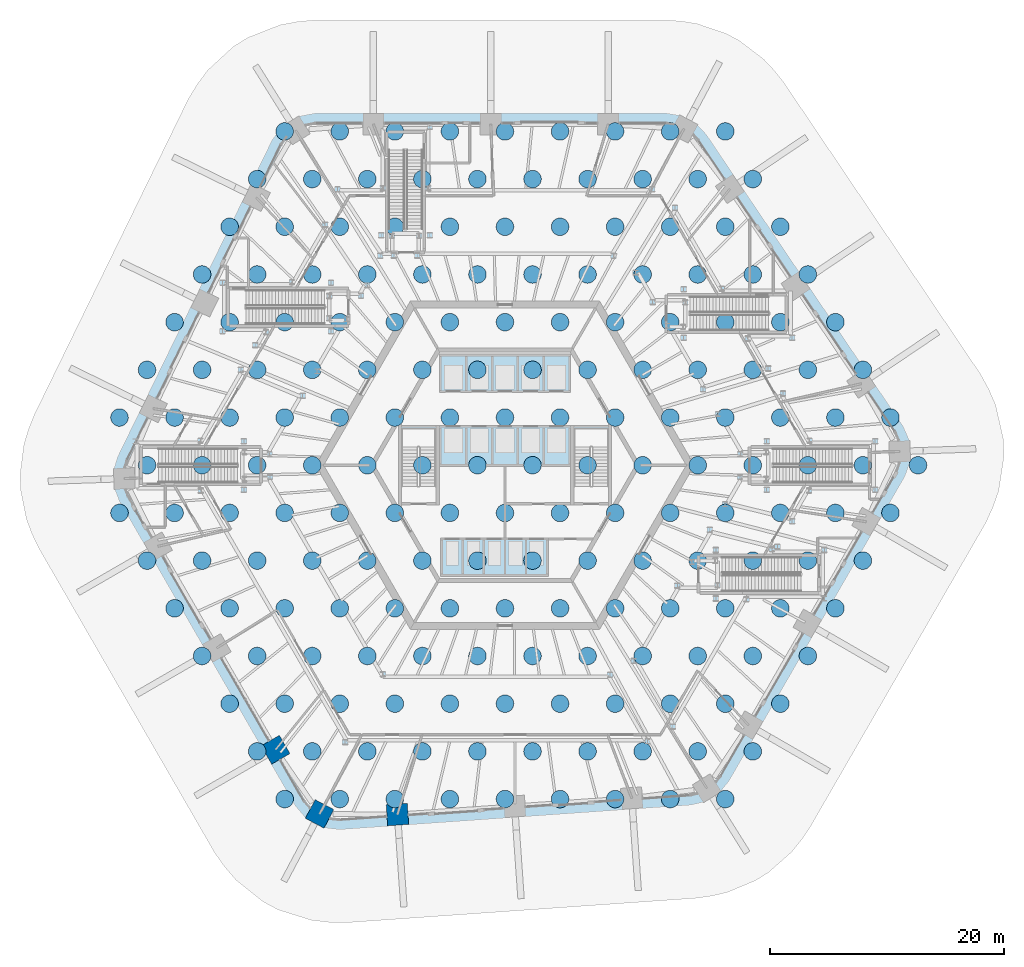
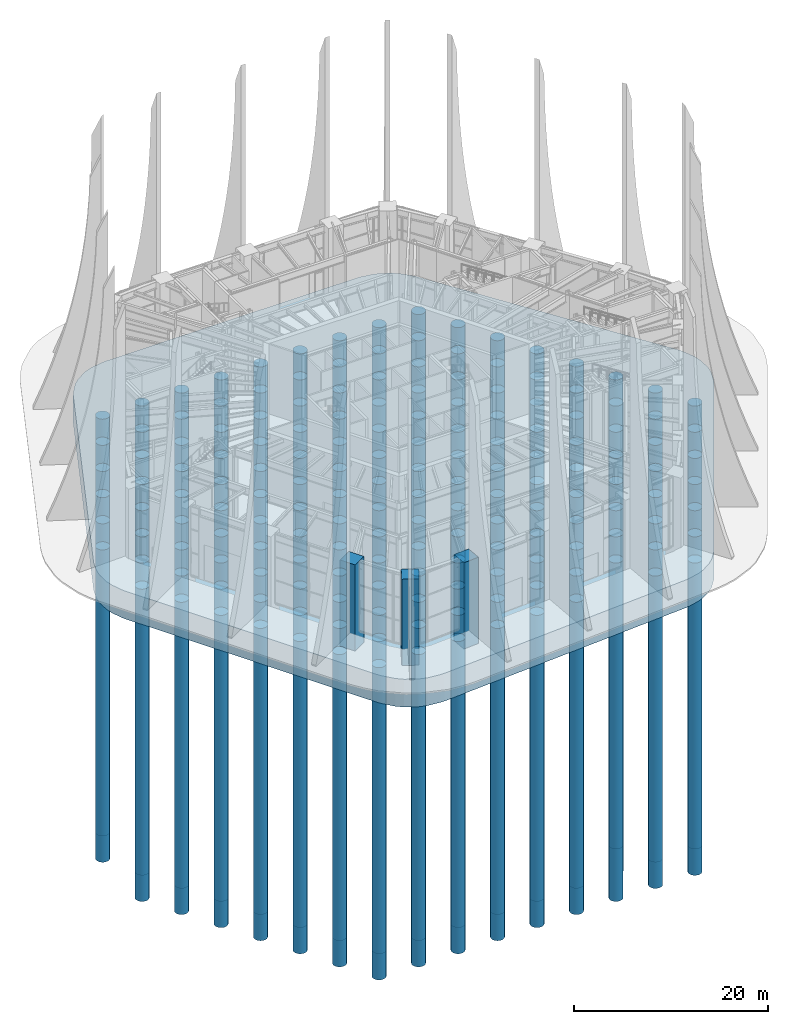
# One storey, part 1 of 43: 183 piles, 3 columns, 1 footing.
"""IFC4 building model written with IfcOpenShell, lengths in metres."""

from ifc_helpers import new_model, si_unit, direction, frame, origin, origin_2d, place, context, subcontext, project, spatial, polyline, rectangle, circle, outline, extrude, material, layer, layer_set, material_profile, profile_set, type_object, element, save


model = new_model("IFC4")

# Units and contexts
model_context = context("Model", 3, precision=1e-05, world=origin(), true_north=direction((0.0, 1.0)))
body_context = subcontext(model_context, "Body", "Model", "MODEL_VIEW")
ifc_project = project(units=[si_unit("LENGTHUNIT", "METRE"), si_unit("AREAUNIT", "SQUARE_METRE"), si_unit("VOLUMEUNIT", "CUBIC_METRE"), si_unit("PLANEANGLEUNIT", "RADIAN"), si_unit("MASSUNIT", "GRAM", prefix="KILO")], contexts=[model_context])

# Site, building, storey
site_placement = place(None, origin())
site = spatial("IfcSite", under=ifc_project, at=site_placement, CompositionType="ELEMENT")
building_placement = place(site_placement, origin())
building = spatial("IfcBuilding", under=site, at=building_placement, Name="Tarnside Tower", CompositionType="ELEMENT")
storey_placement = place(building_placement, origin())
storey = spatial("IfcBuildingStorey", under=building, at=storey_placement, Name="L00", CompositionType="ELEMENT", Elevation=0.0)

# Piles
ifc_material_1 = material(Name="Concrete C35/45", Category="concrete")
ifc_material_profile_1 = material_profile(ifc_material_1, circle(Radius=0.75, at=origin_2d()), Name="Bored pile D1500")
ifc_profile_set_1 = profile_set([ifc_material_profile_1], Name="Concrete C35/45")
pile_type = type_object("IfcPileType", Name="Bored pile D1500", PredefinedType="BORED", material=ifc_profile_set_1)
for number, where, z_axis, x_axis, name in (
    (1, (-18.800048828125, -28.491943359375, -5.52490234375), (0.0, 0.0, -1.0), (1.0, 0.0, 0.0), "Bored pile P001"),
    (2, (-14.10009765625, -28.491943359375, -5.52490234375), (0.0, 0.0, -1.0), (1.0, 0.0, 0.0), "Bored pile P002"),
    (3, (-9.39990234375, -28.491943359375, -5.52490234375), (0.0, 0.0, -1.0), (1.0, 0.0, 0.0), "Bored pile P003"),
    (4, (-4.699951171875, -28.491943359375, -5.52490234375), (0.0, 0.0, -1.0), (1.0, 0.0, 0.0), "Bored pile P004"),
    (5, (0.0, -28.491943359375, -5.52490234375), (0.0, 0.0, -1.0), (1.0, 0.0, 0.0), "Bored pile P005"),
    (6, (4.699951171875, -28.491943359375, -5.52490234375), (0.0, 0.0, -1.0), (1.0, 0.0, 0.0), "Bored pile P006"),
    (7, (9.39990234375, -28.491943359375, -5.52490234375), (0.0, 0.0, -1.0), (1.0, 0.0, 0.0), "Bored pile P007"),
    (8, (14.10009765625, -28.491943359375, -5.52490234375), (0.0, 0.0, -1.0), (1.0, 0.0, 0.0), "Bored pile P008"),
    (9, (18.800048828125, -28.491943359375, -5.52490234375), (0.0, 0.0, -1.0), (1.0, 0.0, 0.0), "Bored pile P009"),
    (10, (-21.14990234375, -24.422119140625, -5.52490234375), (0.0, 0.0, -1.0), (1.0, 0.0, 0.0), "Bored pile P010"),
    (11, (-16.449951171875, -24.422119140625, -5.52490234375), (0.0, 0.0, -1.0), (1.0, 0.0, 0.0), "Bored pile P011"),
    (12, (-11.75, -24.422119140625, -5.52490234375), (0.0, 0.0, -1.0), (1.0, 0.0, 0.0), "Bored pile P012"),
    (13, (-7.050048828125, -24.422119140625, -5.52490234375), (0.0, 0.0, -1.0), (1.0, 0.0, 0.0), "Bored pile P013"),
    (14, (-2.35009765625, -24.422119140625, -5.52490234375), (0.0, 0.0, -1.0), (1.0, 0.0, 0.0), "Bored pile P014"),
    (15, (2.35009765625, -24.422119140625, -5.52490234375), (0.0, 0.0, -1.0), (1.0, 0.0, 0.0), "Bored pile P015"),
    (16, (7.050048828125, -24.422119140625, -5.52490234375), (0.0, 0.0, -1.0), (1.0, 0.0, 0.0), "Bored pile P016"),
    (17, (11.75, -24.422119140625, -5.52490234375), (0.0, 0.0, -1.0), (1.0, 0.0, 0.0), "Bored pile P017"),
    (18, (16.449951171875, -24.422119140625, -5.52490234375), (0.0, 0.0, -1.0), (1.0, 0.0, 0.0), "Bored pile P018"),
    (19, (21.14990234375, -24.422119140625, -5.52490234375), (0.0, 0.0, -1.0), (1.0, 0.0, 0.0), "Bored pile P019"),
    (20, (-23.5, -20.35205078125, -5.52490234375), (0.0, 0.0, -1.0), (1.0, 0.0, 0.0), "Bored pile P020"),
    (21, (-18.800048828125, -20.35205078125, -5.52490234375), (0.0, 0.0, -1.0), (1.0, 0.0, 0.0), "Bored pile P021"),
    (22, (-14.10009765625, -20.35205078125, -5.52490234375), (0.0, 0.0, -1.0), (1.0, 0.0, 0.0), "Bored pile P022"),
    (23, (-9.39990234375, -20.35205078125, -5.52490234375), (0.0, 0.0, -1.0), (1.0, 0.0, 0.0), "Bored pile P023"),
    (24, (-4.699951171875, -20.35205078125, -5.52490234375), (0.0, 0.0, -1.0), (1.0, 0.0, 0.0), "Bored pile P024"),
    (25, (0.0, -20.35205078125, -5.52490234375), (0.0, 0.0, -1.0), (1.0, 0.0, 0.0), "Bored pile P025"),
    (26, (4.699951171875, -20.35205078125, -5.52490234375), (0.0, 0.0, -1.0), (1.0, 0.0, 0.0), "Bored pile P026"),
    (27, (9.39990234375, -20.35205078125, -5.52490234375), (0.0, 0.0, -1.0), (1.0, 0.0, 0.0), "Bored pile P027"),
    (28, (14.10009765625, -20.35205078125, -5.52490234375), (0.0, 0.0, -1.0), (1.0, 0.0, 0.0), "Bored pile P028"),
    (29, (18.800048828125, -20.35205078125, -5.52490234375), (0.0, 0.0, -1.0), (1.0, 0.0, 0.0), "Bored pile P029"),
    (30, (23.5, -20.35205078125, -5.52490234375), (0.0, 0.0, -1.0), (1.0, 0.0, 0.0), "Bored pile P030"),
    (31, (-25.85009765625, -16.281005859375, -5.52490234375), (0.0, 0.0, -1.0), (1.0, 0.0, 0.0), "Bored pile P031"),
    (32, (-21.14990234375, -16.281005859375, -5.52490234375), (0.0, 0.0, -1.0), (1.0, 0.0, 0.0), "Bored pile P032"),
    (33, (-16.449951171875, -16.281005859375, -5.52490234375), (0.0, 0.0, -1.0), (1.0, 0.0, 0.0), "Bored pile P033"),
    (34, (-11.75, -16.281005859375, -5.52490234375), (0.0, 0.0, -1.0), (1.0, 0.0, 0.0), "Bored pile P034"),
    (35, (-7.050048828125, -16.281005859375, -5.52490234375), (0.0, 0.0, -1.0), (1.0, 0.0, 0.0), "Bored pile P035"),
    (36, (-2.35009765625, -16.281005859375, -5.52490234375), (0.0, 0.0, -1.0), (1.0, 0.0, 0.0), "Bored pile P036"),
    (37, (2.35009765625, -16.281005859375, -5.52490234375), (0.0, 0.0, -1.0), (1.0, 0.0, 0.0), "Bored pile P037"),
    (38, (7.050048828125, -16.281005859375, -5.52490234375), (0.0, 0.0, -1.0), (1.0, 0.0, 0.0), "Bored pile P038"),
    (39, (11.75, -16.281005859375, -5.52490234375), (0.0, 0.0, -1.0), (1.0, 0.0, 0.0), "Bored pile P039"),
    (40, (16.449951171875, -16.281005859375, -5.52490234375), (0.0, 0.0, -1.0), (1.0, 0.0, 0.0), "Bored pile P040"),
    (41, (21.14990234375, -16.281005859375, -5.52490234375), (0.0, 0.0, -1.0), (1.0, 0.0, 0.0), "Bored pile P041"),
    (42, (25.85009765625, -16.281005859375, -5.52490234375), (0.0, 0.0, -1.0), (1.0, 0.0, 0.0), "Bored pile P042"),
    (43, (-28.199951171875, -12.2109375, -5.52490234375), (0.0, 0.0, -1.0), (1.0, 0.0, 0.0), "Bored pile P043"),
    (44, (-23.5, -12.2109375, -5.52490234375), (0.0, 0.0, -1.0), (1.0, 0.0, 0.0), "Bored pile P044"),
    (45, (-18.800048828125, -12.2109375, -5.52490234375), (0.0, 0.0, -1.0), (1.0, 0.0, 0.0), "Bored pile P045"),
    (46, (-14.10009765625, -12.2109375, -5.52490234375), (0.0, 0.0, -1.0), (1.0, 0.0, 0.0), "Bored pile P046"),
    (47, (-9.39990234375, -12.2109375, -5.52490234375), (0.0, 0.0, -1.0), (1.0, 0.0, 0.0), "Bored pile P047"),
    (48, (-4.699951171875, -12.2109375, -5.52490234375), (0.0, 0.0, -1.0), (1.0, 0.0, 0.0), "Bored pile P048"),
    (49, (0.0, -12.2109375, -5.52490234375), (0.0, 0.0, -1.0), (1.0, 0.0, 0.0), "Bored pile P049"),
    (50, (4.699951171875, -12.2109375, -5.52490234375), (0.0, 0.0, -1.0), (1.0, 0.0, 0.0), "Bored pile P050"),
    (51, (9.39990234375, -12.2109375, -5.52490234375), (0.0, 0.0, -1.0), (1.0, 0.0, 0.0), "Bored pile P051"),
    (52, (14.10009765625, -12.2109375, -5.52490234375), (0.0, 0.0, -1.0), (1.0, 0.0, 0.0), "Bored pile P052"),
    (53, (18.800048828125, -12.2109375, -5.52490234375), (0.0, 0.0, -1.0), (1.0, 0.0, 0.0), "Bored pile P053"),
    (54, (23.5, -12.2109375, -5.52490234375), (0.0, 0.0, -1.0), (1.0, 0.0, 0.0), "Bored pile P054"),
    (55, (28.199951171875, -12.2109375, -5.52490234375), (0.0, 0.0, -1.0), (1.0, 0.0, 0.0), "Bored pile P055"),
    (56, (-30.550048828125, -8.14111328125, -5.52490234375), (0.0, 0.0, -1.0), (1.0, 0.0, 0.0), "Bored pile P056"),
    (57, (-25.85009765625, -8.14111328125, -5.52490234375), (0.0, 0.0, -1.0), (1.0, 0.0, 0.0), "Bored pile P057"),
    (58, (-21.14990234375, -8.14111328125, -5.52490234375), (0.0, 0.0, -1.0), (1.0, 0.0, 0.0), "Bored pile P058"),
    (59, (-16.449951171875, -8.14111328125, -5.52490234375), (0.0, 0.0, -1.0), (1.0, 0.0, 0.0), "Bored pile P059"),
    (60, (-11.75, -8.14111328125, -5.52490234375), (0.0, 0.0, -1.0), (1.0, 0.0, 0.0), "Bored pile P060"),
    (61, (-7.050048828125, -8.14111328125, -5.52490234375), (0.0, 0.0, -1.0), (1.0, 0.0, 0.0), "Bored pile P061"),
    (62, (-2.35009765625, -8.14111328125, -5.52490234375), (0.0, 0.0, -1.0), (1.0, 0.0, 0.0), "Bored pile P062"),
    (63, (2.35009765625, -8.14111328125, -5.52490234375), (0.0, 0.0, -1.0), (1.0, 0.0, 0.0), "Bored pile P063"),
    (64, (7.050048828125, -8.14111328125, -5.52490234375), (0.0, 0.0, -1.0), (1.0, 0.0, 0.0), "Bored pile P064"),
    (65, (11.75, -8.14111328125, -5.52490234375), (0.0, 0.0, -1.0), (1.0, 0.0, 0.0), "Bored pile P065"),
    (66, (16.449951171875, -8.14111328125, -5.52490234375), (0.0, 0.0, -1.0), (1.0, 0.0, 0.0), "Bored pile P066"),
    (67, (21.14990234375, -8.14111328125, -5.52490234375), (0.0, 0.0, -1.0), (1.0, 0.0, 0.0), "Bored pile P067"),
    (68, (25.85009765625, -8.14111328125, -5.52490234375), (0.0, 0.0, -1.0), (1.0, 0.0, 0.0), "Bored pile P068"),
    (69, (30.550048828125, -8.14111328125, -5.52490234375), (0.0, 0.0, -1.0), (1.0, 0.0, 0.0), "Bored pile P069"),
    (70, (-32.89990234375, -4.070068359375, -5.52490234375), (0.0, 0.0, -1.0), (1.0, 0.0, 0.0), "Bored pile P070"),
    (71, (-28.199951171875, -4.070068359375, -5.52490234375), (0.0, 0.0, -1.0), (1.0, 0.0, 0.0), "Bored pile P071"),
    (72, (-23.5, -4.070068359375, -5.52490234375), (0.0, 0.0, -1.0), (1.0, 0.0, 0.0), "Bored pile P072"),
    (73, (-18.800048828125, -4.070068359375, -5.52490234375), (0.0, 0.0, -1.0), (1.0, 0.0, 0.0), "Bored pile P073"),
    (74, (-14.10009765625, -4.070068359375, -5.52490234375), (0.0, 0.0, -1.0), (1.0, 0.0, 0.0), "Bored pile P074"),
    (75, (-9.39990234375, -4.070068359375, -5.52490234375), (0.0, 0.0, -1.0), (1.0, 0.0, 0.0), "Bored pile P075"),
    (76, (-4.699951171875, -4.070068359375, -5.52490234375), (0.0, 0.0, -1.0), (1.0, 0.0, 0.0), "Bored pile P076"),
    (77, (0.0, -4.070068359375, -5.52490234375), (0.0, 0.0, -1.0), (1.0, 0.0, 0.0), "Bored pile P077"),
    (78, (4.699951171875, -4.070068359375, -5.52490234375), (0.0, 0.0, -1.0), (1.0, 0.0, 0.0), "Bored pile P078"),
    (79, (9.39990234375, -4.070068359375, -5.52490234375), (0.0, 0.0, -1.0), (1.0, 0.0, 0.0), "Bored pile P079"),
    (80, (14.10009765625, -4.070068359375, -5.52490234375), (0.0, 0.0, -1.0), (1.0, 0.0, 0.0), "Bored pile P080"),
    (81, (18.800048828125, -4.070068359375, -5.52490234375), (0.0, 0.0, -1.0), (1.0, 0.0, 0.0), "Bored pile P081"),
    (82, (23.5, -4.070068359375, -5.52490234375), (0.0, 0.0, -1.0), (1.0, 0.0, 0.0), "Bored pile P082"),
    (83, (28.199951171875, -4.070068359375, -5.52490234375), (0.0, 0.0, -1.0), (1.0, 0.0, 0.0), "Bored pile P083"),
    (84, (32.89990234375, -4.070068359375, -5.52490234375), (0.0, 0.0, -1.0), (1.0, 0.0, 0.0), "Bored pile P084"),
    (85, (-30.550048828125, 0.0, -5.52490234375), (0.0, 0.0, -1.0), (1.0, 0.0, 0.0), "Bored pile P085"),
    (86, (-25.85009765625, 0.0, -5.52490234375), (0.0, 0.0, -1.0), (1.0, 0.0, 0.0), "Bored pile P086"),
    (87, (-21.14990234375, 0.0, -5.52490234375), (0.0, 0.0, -1.0), (1.0, 0.0, 0.0), "Bored pile P087"),
    (88, (-16.449951171875, 0.0, -5.52490234375), (0.0, 0.0, -1.0), (1.0, 0.0, 0.0), "Bored pile P088"),
    (89, (-11.75, 0.0, -5.52490234375), (0.0, 0.0, -1.0), (1.0, 0.0, 0.0), "Bored pile P089"),
    (90, (-7.050048828125, 0.0, -5.52490234375), (0.0, 0.0, -1.0), (1.0, 0.0, 0.0), "Bored pile P090"),
    (91, (-2.35009765625, 0.0, -5.52490234375), (0.0, 0.0, -1.0), (1.0, 0.0, 0.0), "Bored pile P091"),
    (92, (2.35009765625, 0.0, -5.52490234375), (0.0, 0.0, -1.0), (1.0, 0.0, 0.0), "Bored pile P092"),
    (93, (7.050048828125, 0.0, -5.52490234375), (0.0, 0.0, -1.0), (1.0, 0.0, 0.0), "Bored pile P093"),
    (94, (11.75, 0.0, -5.52490234375), (0.0, 0.0, -1.0), (1.0, 0.0, 0.0), "Bored pile P094"),
    (95, (16.449951171875, 0.0, -5.52490234375), (0.0, 0.0, -1.0), (1.0, 0.0, 0.0), "Bored pile P095"),
    (96, (21.14990234375, 0.0, -5.52490234375), (0.0, 0.0, -1.0), (1.0, 0.0, 0.0), "Bored pile P096"),
    (97, (25.85009765625, 0.0, -5.52490234375), (0.0, 0.0, -1.0), (1.0, 0.0, 0.0), "Bored pile P097"),
    (98, (30.550048828125, 0.0, -5.52490234375), (0.0, 0.0, -1.0), (1.0, 0.0, 0.0), "Bored pile P098"),
    (99, (35.25, 0.0, -5.52490234375), (0.0, 0.0, -1.0), (1.0, 0.0, 0.0), "Bored pile P099"),
    (100, (-32.89990234375, 4.070068359375, -5.52490234375), (0.0, 0.0, -1.0), (1.0, 0.0, 0.0), "Bored pile P100"),
    (101, (-28.199951171875, 4.070068359375, -5.52490234375), (0.0, 0.0, -1.0), (1.0, 0.0, 0.0), "Bored pile P101"),
    (102, (-23.5, 4.070068359375, -5.52490234375), (0.0, 0.0, -1.0), (1.0, 0.0, 0.0), "Bored pile P102"),
    (103, (-18.800048828125, 4.070068359375, -5.52490234375), (0.0, 0.0, -1.0), (1.0, 0.0, 0.0), "Bored pile P103"),
    (104, (-14.10009765625, 4.070068359375, -5.52490234375), (0.0, 0.0, -1.0), (1.0, 0.0, 0.0), "Bored pile P104"),
    (105, (-9.39990234375, 4.070068359375, -5.52490234375), (0.0, 0.0, -1.0), (1.0, 0.0, 0.0), "Bored pile P105"),
    (106, (-4.699951171875, 4.070068359375, -5.52490234375), (0.0, 0.0, -1.0), (1.0, 0.0, 0.0), "Bored pile P106"),
    (107, (0.0, 4.070068359375, -5.52490234375), (0.0, 0.0, -1.0), (1.0, 0.0, 0.0), "Bored pile P107"),
    (108, (4.699951171875, 4.070068359375, -5.52490234375), (0.0, 0.0, -1.0), (1.0, 0.0, 0.0), "Bored pile P108"),
    (109, (9.39990234375, 4.070068359375, -5.52490234375), (0.0, 0.0, -1.0), (1.0, 0.0, 0.0), "Bored pile P109"),
    (110, (14.10009765625, 4.070068359375, -5.52490234375), (0.0, 0.0, -1.0), (1.0, 0.0, 0.0), "Bored pile P110"),
    (111, (18.800048828125, 4.070068359375, -5.52490234375), (0.0, 0.0, -1.0), (1.0, 0.0, 0.0), "Bored pile P111"),
    (112, (23.5, 4.070068359375, -5.52490234375), (0.0, 0.0, -1.0), (1.0, 0.0, 0.0), "Bored pile P112"),
    (113, (28.199951171875, 4.070068359375, -5.52490234375), (0.0, 0.0, -1.0), (1.0, 0.0, 0.0), "Bored pile P113"),
    (114, (32.89990234375, 4.070068359375, -5.52490234375), (0.0, 0.0, -1.0), (1.0, 0.0, 0.0), "Bored pile P114"),
    (115, (-30.550048828125, 8.14111328125, -5.52490234375), (0.0, 0.0, -1.0), (1.0, 0.0, 0.0), "Bored pile P115"),
    (116, (-25.85009765625, 8.14111328125, -5.52490234375), (0.0, 0.0, -1.0), (1.0, 0.0, 0.0), "Bored pile P116"),
    (117, (-21.14990234375, 8.14111328125, -5.52490234375), (0.0, 0.0, -1.0), (1.0, 0.0, 0.0), "Bored pile P117"),
    (118, (-16.449951171875, 8.14111328125, -5.52490234375), (0.0, 0.0, -1.0), (1.0, 0.0, 0.0), "Bored pile P118"),
    (119, (-11.75, 8.14111328125, -5.52490234375), (0.0, 0.0, -1.0), (1.0, 0.0, 0.0), "Bored pile P119"),
    (120, (-7.050048828125, 8.14111328125, -5.52490234375), (0.0, 0.0, -1.0), (1.0, 0.0, 0.0), "Bored pile P120"),
    (121, (-2.35009765625, 8.14111328125, -5.52490234375), (0.0, 0.0, -1.0), (1.0, 0.0, 0.0), "Bored pile P121"),
    (122, (2.35009765625, 8.14111328125, -5.52490234375), (0.0, 0.0, -1.0), (1.0, 0.0, 0.0), "Bored pile P122"),
    (123, (7.050048828125, 8.14111328125, -5.52490234375), (0.0, 0.0, -1.0), (1.0, 0.0, 0.0), "Bored pile P123"),
    (124, (11.75, 8.14111328125, -5.52490234375), (0.0, 0.0, -1.0), (1.0, 0.0, 0.0), "Bored pile P124"),
    (125, (16.449951171875, 8.14111328125, -5.52490234375), (0.0, 0.0, -1.0), (1.0, 0.0, 0.0), "Bored pile P125"),
    (126, (21.14990234375, 8.14111328125, -5.52490234375), (0.0, 0.0, -1.0), (1.0, 0.0, 0.0), "Bored pile P126"),
    (127, (25.85009765625, 8.14111328125, -5.52490234375), (0.0, 0.0, -1.0), (1.0, 0.0, 0.0), "Bored pile P127"),
    (128, (30.550048828125, 8.14111328125, -5.52490234375), (0.0, 0.0, -1.0), (1.0, 0.0, 0.0), "Bored pile P128"),
    (129, (-28.199951171875, 12.2109375, -5.52490234375), (0.0, 0.0, -1.0), (1.0, 0.0, 0.0), "Bored pile P129"),
    (130, (-23.5, 12.2109375, -5.52490234375), (0.0, 0.0, -1.0), (1.0, 0.0, 0.0), "Bored pile P130"),
    (131, (-18.800048828125, 12.2109375, -5.52490234375), (0.0, 0.0, -1.0), (1.0, 0.0, 0.0), "Bored pile P131"),
    (132, (-14.10009765625, 12.2109375, -5.52490234375), (0.0, 0.0, -1.0), (1.0, 0.0, 0.0), "Bored pile P132"),
    (133, (-9.39990234375, 12.2109375, -5.52490234375), (0.0, 0.0, -1.0), (1.0, 0.0, 0.0), "Bored pile P133"),
    (134, (-4.699951171875, 12.2109375, -5.52490234375), (0.0, 0.0, -1.0), (1.0, 0.0, 0.0), "Bored pile P134"),
    (135, (0.0, 12.2109375, -5.52490234375), (0.0, 0.0, -1.0), (1.0, 0.0, 0.0), "Bored pile P135"),
    (136, (4.699951171875, 12.2109375, -5.52490234375), (0.0, 0.0, -1.0), (1.0, 0.0, 0.0), "Bored pile P136"),
    (137, (9.39990234375, 12.2109375, -5.52490234375), (0.0, 0.0, -1.0), (1.0, 0.0, 0.0), "Bored pile P137"),
    (138, (14.10009765625, 12.2109375, -5.52490234375), (0.0, 0.0, -1.0), (1.0, 0.0, 0.0), "Bored pile P138"),
    (139, (18.800048828125, 12.2109375, -5.52490234375), (0.0, 0.0, -1.0), (1.0, 0.0, 0.0), "Bored pile P139"),
    (140, (23.5, 12.2109375, -5.52490234375), (0.0, 0.0, -1.0), (1.0, 0.0, 0.0), "Bored pile P140"),
    (141, (28.199951171875, 12.2109375, -5.52490234375), (0.0, 0.0, -1.0), (1.0, 0.0, 0.0), "Bored pile P141"),
    (142, (-25.85009765625, 16.281005859375, -5.52490234375), (0.0, 0.0, -1.0), (1.0, 0.0, 0.0), "Bored pile P142"),
    (143, (-21.14990234375, 16.281005859375, -5.52490234375), (0.0, 0.0, -1.0), (1.0, 0.0, 0.0), "Bored pile P143"),
    (144, (-16.449951171875, 16.281005859375, -5.52490234375), (0.0, 0.0, -1.0), (1.0, 0.0, 0.0), "Bored pile P144"),
    (145, (-11.75, 16.281005859375, -5.52490234375), (0.0, 0.0, -1.0), (1.0, 0.0, 0.0), "Bored pile P145"),
    (146, (-7.050048828125, 16.281005859375, -5.52490234375), (0.0, 0.0, -1.0), (1.0, 0.0, 0.0), "Bored pile P146"),
    (147, (-2.35009765625, 16.281005859375, -5.52490234375), (0.0, 0.0, -1.0), (1.0, 0.0, 0.0), "Bored pile P147"),
    (148, (2.35009765625, 16.281005859375, -5.52490234375), (0.0, 0.0, -1.0), (1.0, 0.0, 0.0), "Bored pile P148"),
    (149, (7.050048828125, 16.281005859375, -5.52490234375), (0.0, 0.0, -1.0), (1.0, 0.0, 0.0), "Bored pile P149"),
    (150, (11.75, 16.281005859375, -5.52490234375), (0.0, 0.0, -1.0), (1.0, 0.0, 0.0), "Bored pile P150"),
    (151, (16.449951171875, 16.281005859375, -5.52490234375), (0.0, 0.0, -1.0), (1.0, 0.0, 0.0), "Bored pile P151"),
    (152, (21.14990234375, 16.281005859375, -5.52490234375), (0.0, 0.0, -1.0), (1.0, 0.0, 0.0), "Bored pile P152"),
    (153, (25.85009765625, 16.281005859375, -5.52490234375), (0.0, 0.0, -1.0), (1.0, 0.0, 0.0), "Bored pile P153"),
    (154, (-23.5, 20.35205078125, -5.52490234375), (0.0, 0.0, -1.0), (1.0, 0.0, 0.0), "Bored pile P154"),
    (155, (-18.800048828125, 20.35205078125, -5.52490234375), (0.0, 0.0, -1.0), (1.0, 0.0, 0.0), "Bored pile P155"),
    (156, (-14.10009765625, 20.35205078125, -5.52490234375), (0.0, 0.0, -1.0), (1.0, 0.0, 0.0), "Bored pile P156"),
    (157, (-9.39990234375, 20.35205078125, -5.52490234375), (0.0, 0.0, -1.0), (1.0, 0.0, 0.0), "Bored pile P157"),
    (158, (-4.699951171875, 20.35205078125, -5.52490234375), (0.0, 0.0, -1.0), (1.0, 0.0, 0.0), "Bored pile P158"),
    (159, (0.0, 20.35205078125, -5.52490234375), (0.0, 0.0, -1.0), (1.0, 0.0, 0.0), "Bored pile P159"),
    (160, (4.699951171875, 20.35205078125, -5.52490234375), (0.0, 0.0, -1.0), (1.0, 0.0, 0.0), "Bored pile P160"),
    (161, (9.39990234375, 20.35205078125, -5.52490234375), (0.0, 0.0, -1.0), (1.0, 0.0, 0.0), "Bored pile P161"),
    (162, (14.10009765625, 20.35205078125, -5.52490234375), (0.0, 0.0, -1.0), (1.0, 0.0, 0.0), "Bored pile P162"),
    (163, (18.800048828125, 20.35205078125, -5.52490234375), (0.0, 0.0, -1.0), (1.0, 0.0, 0.0), "Bored pile P163"),
    (164, (23.5, 20.35205078125, -5.52490234375), (0.0, 0.0, -1.0), (1.0, 0.0, 0.0), "Bored pile P164"),
    (165, (-21.14990234375, 24.422119140625, -5.52490234375), (0.0, 0.0, -1.0), (1.0, 0.0, 0.0), "Bored pile P165"),
    (166, (-16.449951171875, 24.422119140625, -5.52490234375), (0.0, 0.0, -1.0), (1.0, 0.0, 0.0), "Bored pile P166"),
    (167, (-11.75, 24.422119140625, -5.52490234375), (0.0, 0.0, -1.0), (1.0, 0.0, 0.0), "Bored pile P167"),
    (168, (-7.050048828125, 24.422119140625, -5.52490234375), (0.0, 0.0, -1.0), (1.0, 0.0, 0.0), "Bored pile P168"),
    (169, (-2.35009765625, 24.422119140625, -5.52490234375), (0.0, 0.0, -1.0), (1.0, 0.0, 0.0), "Bored pile P169"),
    (170, (2.35009765625, 24.422119140625, -5.52490234375), (0.0, 0.0, -1.0), (1.0, 0.0, 0.0), "Bored pile P170"),
    (171, (7.050048828125, 24.422119140625, -5.52490234375), (0.0, 0.0, -1.0), (1.0, 0.0, 0.0), "Bored pile P171"),
    (172, (11.75, 24.422119140625, -5.52490234375), (0.0, 0.0, -1.0), (1.0, 0.0, 0.0), "Bored pile P172"),
    (173, (16.449951171875, 24.422119140625, -5.52490234375), (0.0, 0.0, -1.0), (1.0, 0.0, 0.0), "Bored pile P173"),
    (174, (21.14990234375, 24.422119140625, -5.52490234375), (0.0, 0.0, -1.0), (1.0, 0.0, 0.0), "Bored pile P174"),
    (175, (-18.800048828125, 28.491943359375, -5.52490234375), (0.0, 0.0, -1.0), (1.0, 0.0, 0.0), "Bored pile P175"),
    (176, (-14.10009765625, 28.491943359375, -5.52490234375), (0.0, 0.0, -1.0), (1.0, 0.0, 0.0), "Bored pile P176"),
    (177, (-9.39990234375, 28.491943359375, -5.52490234375), (0.0, 0.0, -1.0), (1.0, 0.0, 0.0), "Bored pile P177"),
    (178, (-4.699951171875, 28.491943359375, -5.52490234375), (0.0, 0.0, -1.0), (1.0, 0.0, 0.0), "Bored pile P178"),
    (179, (0.0, 28.491943359375, -5.52490234375), (0.0, 0.0, -1.0), (1.0, 0.0, 0.0), "Bored pile P179"),
    (180, (4.699951171875, 28.491943359375, -5.52490234375), (0.0, 0.0, -1.0), (1.0, 0.0, 0.0), "Bored pile P180"),
    (181, (9.39990234375, 28.491943359375, -5.52490234375), (0.0, 0.0, -1.0), (1.0, 0.0, 0.0), "Bored pile P181"),
    (182, (14.10009765625, 28.491943359375, -5.52490234375), (0.0, 0.0, -1.0), (1.0, 0.0, 0.0), "Bored pile P182"),
    (183, (18.800048828125, 28.491943359375, -5.52490234375), (0.0, 0.0, -1.0), (1.0, 0.0, 0.0), "Bored pile P183"),
):
    element("IfcPile", number, at=place(storey_placement, frame(where, z_axis=z_axis, x_axis=x_axis)), inside=storey, type_object=pile_type, Name=name, PredefinedType="BORED", context=body_context, shape_type="SweptSolid", body=[
        extrude(circle(Radius=0.75, at=origin_2d()), origin(), (0.0, 0.0, 1.0), 36.0),
    ])

# Footing
ifc_material_2 = material(Name="Concrete C50/60", Category="concrete")
ifc_layer = layer(ifc_material_2, 3.5)
ifc_layer_set = layer_set([ifc_layer], Name="Piled raft 3500")
footing_type = type_object("IfcFootingType", Name="Piled raft 3500", PredefinedType="PILE_CAP", material=ifc_layer_set)
footing_placement = place(storey_placement, frame((0.0, 0.0, -5.60009765625)))
element("IfcFooting", 184, at=footing_placement, inside=storey, type_object=footing_type, Name="Piled raft", PredefinedType="PILE_CAP", context=body_context, shape_type="SweptSolid", body=[
    extrude(outline(polyline([(14.22998046875, 32.466796875), (15.510009765625, 32.256591796875), (16.2783203125, 31.9970703125), (17.423828125, 31.387939453125), (18.068603515625, 30.89599609375), (18.958984375, 29.952392578125), (19.213134765625, 29.634765625), (36.02880859375, 4.70458984375), (36.251708984375, 4.296875), (36.838134765625, 2.937255859375), (37.041015625, 2.0341796875), (37.0927734375, 0.554443359375), (36.953369140625, -0.3603515625), (36.463134765625, -1.7578125), (36.26904296875, -2.179931640625), (21.233642578125, -28.222412109375), (21.002197265625, -28.556884765625), (20.179931640625, -29.560302734375), (19.571044921875, -30.095947265625), (18.470703125, -30.783447265625), (17.722412109375, -31.095947265625), (16.4599609375, -31.395263671875), (16.057861328125, -31.45654296875), (-13.93994140625, -33.55419921875), (-14.404541015625, -33.543212890625), (-15.875244140625, -33.371337890625), (-16.7587890625, -33.095703125), (-18.066162109375, -32.400390625), (-18.788818359375, -31.822265625), (-19.753662109375, -30.69921875), (-20.0224609375, -30.320068359375), (-35.05810546875, -4.277587890625), (-35.232177734375, -3.909912109375), (-35.68994140625, -2.696044921875), (-35.849365234375, -1.90087890625), (-35.89453125, -0.6044921875), (-35.791015625, 0.199951171875), (-35.4189453125, 1.44287109375), (-35.27099609375, 1.82177734375), (-22.0888671875, 28.849365234375), (-21.84716796875, 29.246337890625), (-20.962890625, 30.43408203125), (-20.2822265625, 31.061279296875), (-19.026611328125, 31.845947265625), (-18.16455078125, 32.1826171875), (-16.709228515625, 32.456787109375), (-16.24658203125, 32.5), (13.824462890625, 32.5), (14.22998046875, 32.466796875)])), origin(), (0.0, 0.0, 1.0), 3.5),
])

# Columns
ifc_material_3 = material(Name="Concrete C80/95", Category="concrete")
ifc_material_profile_2 = material_profile(ifc_material_3, rectangle(XDim=1.800048828125, YDim=1.800048828125, at=origin_2d()), Name="Mega column 1800x1800")
ifc_profile_set_2 = profile_set([ifc_material_profile_2], Name="Concrete C80/95")
column_type = type_object("IfcColumnType", Name="Mega column 1800 C80/95", PredefinedType="COLUMN", material=ifc_profile_set_2)
for number, where, z_axis, x_axis, name in (
    (185, (-19.583984375, -24.279541015625, -2.10009765625), (0.0, 0.0, 1.0), (-0.5, 0.866025403784, 0.0), "Mega column M11"),
    (186, (-15.823486328125, -29.759765625, -2.10009765625), (0.0, 0.0, 1.0), (-0.882947592859, 0.469471562786, 0.0), "Mega column M12"),
    (187, (-9.177490234375, -29.812744140625, -2.10009765625), (0.0, 0.0, 1.0), (-0.99756405026, -0.069756473744, 0.0), "Mega column M13"),
):
    element("IfcColumn", number, at=place(storey_placement, frame(where, z_axis=z_axis, x_axis=x_axis)), inside=storey, type_object=column_type, Name=name, PredefinedType="COLUMN", context=body_context, shape_type="SweptSolid", body=[
        extrude(rectangle(XDim=1.800048828125, YDim=1.800048828125, at=origin_2d()), origin(), (0.0, 0.0, 1.0), 10.85009765625),
    ])

save(model, "model.ifc")
